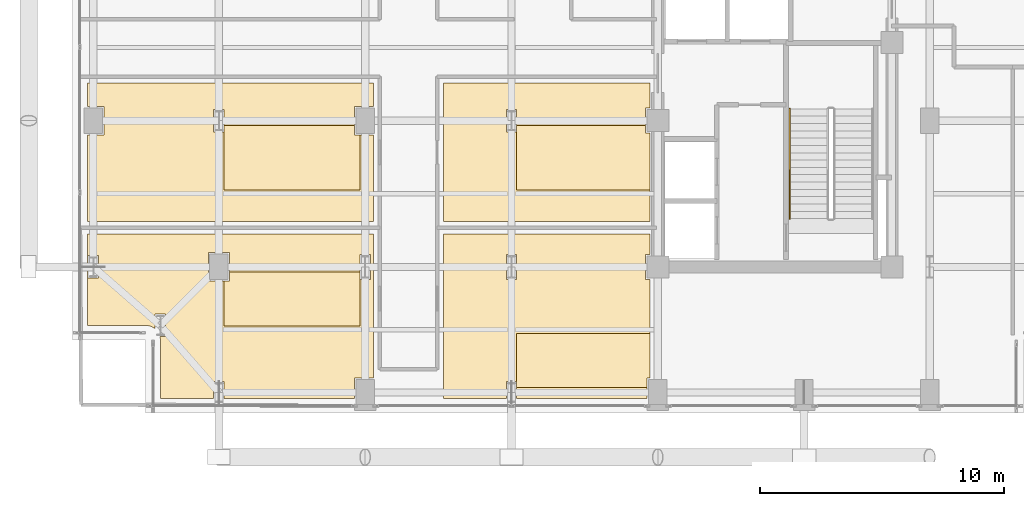
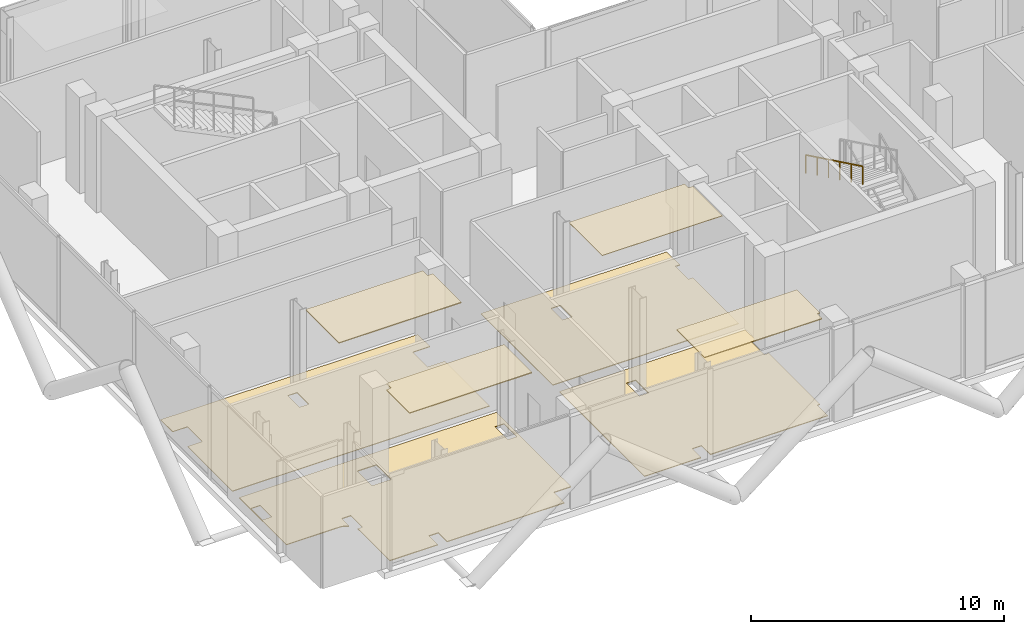
# One storey, part 17 of 19: 8 coverings, 1 railing.
"""IFC4 building model written with IfcOpenShell, lengths in metres."""

from ifc_helpers import new_model, si_unit, direction, frame, origin, origin_2d, place, context, subcontext, project, spatial, polyline, rectangle, outline, extrude, material, layer, layer_set, type_object, element, save


model = new_model("IFC4")

# Units and contexts
model_context = context("Model", 3, precision=1e-05, world=origin(), true_north=direction((0.0, 1.0)))
body_context = subcontext(model_context, "Body", "Model", "MODEL_VIEW")
ifc_project = project(units=[si_unit("LENGTHUNIT", "METRE"), si_unit("AREAUNIT", "SQUARE_METRE"), si_unit("VOLUMEUNIT", "CUBIC_METRE"), si_unit("PLANEANGLEUNIT", "RADIAN"), si_unit("MASSUNIT", "GRAM", prefix="KILO"), si_unit("THERMODYNAMICTEMPERATUREUNIT", "KELVIN"), si_unit("POWERUNIT", "WATT")], contexts=[model_context])

# Site, building, storey
site_placement = place(None, origin())
site = spatial("IfcSite", under=ifc_project, at=site_placement, CompositionType="ELEMENT")
building_placement = place(site_placement, origin())
building = spatial("IfcBuilding", under=site, at=building_placement, Name="Svarakhadi Broadcast Tower", CompositionType="ELEMENT")
storey_placement = place(building_placement, frame((0.0, 0.0, 204.0)))
storey = spatial("IfcBuildingStorey", under=building, at=storey_placement, Name="L50", CompositionType="ELEMENT", Elevation=204.0)

# Coverings
ifc_material_1 = material(Name="Anodised Bronze Aluminium Linear Acoustic Baffle", Category="aluminium")
ifc_layer_1 = layer(ifc_material_1, 0.044921875)
ifc_layer_set_1 = layer_set([ifc_layer_1], Name="Anodised Bronze Aluminium Linear Acoustic Baffle")
covering_type_1 = type_object("IfcCoveringType", Name="Cov_Ceiling_Baffle", PredefinedType="CEILING", material=ifc_layer_set_1)
covering_1_placement = place(storey_placement, frame((0.0, 0.0, 4.39501953125)))
element("IfcCovering", 1, at=covering_1_placement, inside=storey, type_object=covering_type_1, Name="L50 L50 Hydrotherapy Wellness and Vitality Spa Acoustic Ceiling", PredefinedType="CEILING", context=body_context, shape_type="SweptSolid", body=[
    extrude(outline(polyline([(6.2099609375, 3.81005859375), (6.2099609375, 5.4150390625), (6.43505859375, 5.4150390625), (6.43505859375, 5.7900390625), (11.7900390625, 5.7900390625), (11.7900390625, 5.489990234375), (11.7900390625, 3.574951171875), (6.2099609375, 3.574951171875), (6.2099609375, 3.81005859375)])), origin(), (0.0, 0.0, 1.0), 0.044921875),
])
covering_2_placement = place(storey_placement, frame((0.0, 0.0, 4.39501953125)))
element("IfcCovering", 2, at=covering_2_placement, inside=storey, type_object=covering_type_1, Name="L50 L50 Altitude Fitness Studio Acoustic Ceiling", PredefinedType="CEILING", context=body_context, shape_type="SweptSolid", body=[
    extrude(outline(polyline([(6.2099609375, 11.5400390625), (6.2099609375, 11.7900390625), (11.56494140625, 11.7900390625), (11.56494140625, 11.4150390625), (11.7900390625, 11.4150390625), (11.7900390625, 9.14990234375), (6.2099609375, 9.14990234375), (6.2099609375, 11.5400390625)])), origin(), (0.0, 0.0, 1.0), 0.044921875),
])
covering_3_placement = place(storey_placement, frame((0.0, 0.0, 4.39501953125)))
element("IfcCovering", 3, at=covering_3_placement, inside=storey, type_object=covering_type_1, Name="L50 L50 Poolside Bistro and Sunset Bar Acoustic Ceiling", PredefinedType="CEILING", context=body_context, shape_type="SweptSolid", body=[
    extrude(outline(polyline([(23.68994140625, 1.43505859375), (23.56494140625, 1.43505859375), (23.56494140625, 1.06005859375), (18.2099609375, 1.06005859375), (18.2099609375, 3.27490234375), (23.68994140625, 3.27490234375), (23.68994140625, 1.43505859375)])), origin(), (0.0, 0.0, 1.0), 0.044921875),
])
ifc_material_2 = material(Name="Micro-Perforated Mineral Fibre Acoustic Ceiling Tile", Category="mineral_fibre")
ifc_layer_2 = layer(ifc_material_2, 0.02490234375)
ifc_layer_set_2 = layer_set([ifc_layer_2], Name="Micro-Perforated Mineral Fibre Acoustic Ceiling Tile")
covering_type_2 = type_object("IfcCoveringType", Name="Cov_Ceiling_Tile", PredefinedType="CEILING", material=ifc_layer_set_2)
covering_4_placement = place(storey_placement, frame((0.0, 0.0, 4.4150390625)))
element("IfcCovering", 4, at=covering_4_placement, inside=storey, type_object=covering_type_2, Name="L50 L50 Aquatic Club Catering Kitchen Acoustic Ceiling", PredefinedType="CEILING", context=body_context, shape_type="SweptSolid", body=[
    extrude(outline(polyline([(23.68994140625, 9.14990234375), (18.2099609375, 9.14990234375), (18.2099609375, 11.7900390625), (23.489990234375, 11.7900390625), (23.489990234375, 11.489990234375), (23.68994140625, 11.489990234375), (23.68994140625, 9.14990234375)])), origin(), (0.0, 0.0, 1.0), 0.02490234375),
])
ifc_material_3 = material(Name="Honed Konkan Basalt Stone Tile Flooring", Category="masonry")
ifc_layer_3 = layer(ifc_material_3, 0.034912109375)
ifc_layer_set_3 = layer_set([ifc_layer_3], Name="Honed Konkan Basalt Stone Tile Flooring")
covering_type_3 = type_object("IfcCoveringType", Name="Cov_Floor_Basalt", PredefinedType="FLOORING", material=ifc_layer_set_3)
covering_5_placement = place(storey_placement, origin())
element("IfcCovering", 5, at=covering_5_placement, inside=storey, type_object=covering_type_3, Name="L50 L50 Hydrotherapy Wellness and Vitality Spa Floor Finish", PredefinedType="FLOORING", context=body_context, shape_type="SweptSolid", body=[
    extrude(outline(polyline([(12.340087890625, 1.43505859375), (11.56494140625, 1.43505859375), (11.56494140625, 0.610107421875), (6.2099609375, 0.610107421875), (6.2099609375, 1.31005859375), (5.7900390625, 1.31005859375), (5.7900390625, 0.610107421875), (3.60009765625, 0.610107421875), (3.60009765625, 3.0), (3.60009765625, 3.009033203125), (3.597900390625, 3.050048828125), (3.595947265625, 3.06689453125), (3.590087890625, 3.10791015625), (3.5869140625, 3.1259765625), (3.5830078125, 3.139892578125), (3.81005859375, 3.139892578125), (3.81005859375, 4.06005859375), (3.389892578125, 4.06005859375), (3.389892578125, 3.4560546875), (3.386962890625, 3.458984375), (3.3720703125, 3.470947265625), (3.339111328125, 3.4951171875), (3.325927734375, 3.5029296875), (3.291015625, 3.52392578125), (3.277099609375, 3.531982421875), (3.239990234375, 3.550048828125), (3.221923828125, 3.556884765625), (3.18310546875, 3.571044921875), (3.166015625, 3.576904296875), (3.1259765625, 3.5869140625), (3.10791015625, 3.590087890625), (3.06689453125, 3.595947265625), (3.050048828125, 3.597900390625), (3.009033203125, 3.60009765625), (3.0, 3.60009765625), (0.610107421875, 3.60009765625), (0.610107421875, 7.340087890625), (12.340087890625, 7.340087890625), (12.340087890625, 1.43505859375)]), holes=[polyline([(1.06005859375, 5.5400390625), (1.06005859375, 6.4599609375), (0.639892578125, 6.4599609375), (0.639892578125, 5.5400390625), (1.06005859375, 5.5400390625)]), polyline([(5.56494140625, 5.4150390625), (6.43505859375, 5.4150390625), (6.43505859375, 6.5849609375), (5.56494140625, 6.5849609375), (5.56494140625, 5.4150390625)]), polyline([(11.7900390625, 5.489990234375), (12.2099609375, 5.489990234375), (12.2099609375, 6.510009765625), (11.7900390625, 6.510009765625), (11.7900390625, 5.489990234375)])]), origin(), (0.0, 0.0, 1.0), 0.034912109375),
])
covering_6_placement = place(storey_placement, origin())
element("IfcCovering", 6, at=covering_6_placement, inside=storey, type_object=covering_type_3, Name="L50 L50 Poolside Bistro and Sunset Bar Floor Finish", PredefinedType="FLOORING", context=body_context, shape_type="SweptSolid", body=[
    extrude(outline(polyline([(23.68994140625, 7.340087890625), (23.68994140625, 6.510009765625), (23.489990234375, 6.510009765625), (23.489990234375, 5.489990234375), (23.68994140625, 5.489990234375), (23.68994140625, 1.43505859375), (23.56494140625, 1.43505859375), (23.56494140625, 0.610107421875), (18.2099609375, 0.610107421875), (18.2099609375, 1.31005859375), (17.7900390625, 1.31005859375), (17.7900390625, 0.610107421875), (15.2099609375, 0.610107421875), (15.2099609375, 7.340087890625), (23.68994140625, 7.340087890625)]), holes=[polyline([(18.2099609375, 5.489990234375), (18.2099609375, 6.510009765625), (17.7900390625, 6.510009765625), (17.7900390625, 5.489990234375), (18.2099609375, 5.489990234375)])]), origin(), (0.0, 0.0, 1.0), 0.034912109375),
])
covering_7_placement = place(storey_placement, origin())
element("IfcCovering", 7, at=covering_7_placement, inside=storey, type_object=covering_type_3, Name="L50 L50 Aquatic Club Catering Kitchen Floor Finish", PredefinedType="FLOORING", context=body_context, shape_type="SweptSolid", body=[
    extrude(outline(polyline([(23.68994140625, 13.5400390625), (23.68994140625, 12.510009765625), (23.489990234375, 12.510009765625), (23.489990234375, 11.489990234375), (23.68994140625, 11.489990234375), (23.68994140625, 7.860107421875), (15.2099609375, 7.860107421875), (15.2099609375, 13.5400390625), (23.68994140625, 13.5400390625)]), holes=[polyline([(17.7900390625, 11.5400390625), (18.2099609375, 11.5400390625), (18.2099609375, 12.4599609375), (17.7900390625, 12.4599609375), (17.7900390625, 11.5400390625)])]), origin(), (0.0, 0.0, 1.0), 0.034912109375),
])
ifc_material_4 = material(Name="Polished White Marble-Chip Terrazzo Flooring", Category="masonry")
ifc_layer_4 = layer(ifc_material_4, 0.030029296875)
ifc_layer_set_4 = layer_set([ifc_layer_4], Name="Polished White Marble-Chip Terrazzo Flooring")
covering_type_4 = type_object("IfcCoveringType", Name="Cov_Floor_Terrazzo", PredefinedType="FLOORING", material=ifc_layer_set_4)
covering_8_placement = place(storey_placement, origin())
element("IfcCovering", 8, at=covering_8_placement, inside=storey, type_object=covering_type_4, Name="L50 L50 Altitude Fitness Studio Floor Finish", PredefinedType="FLOORING", context=body_context, shape_type="SweptSolid", body=[
    extrude(outline(polyline([(12.340087890625, 13.5400390625), (12.340087890625, 12.5849609375), (11.56494140625, 12.5849609375), (11.56494140625, 11.4150390625), (12.340087890625, 11.4150390625), (12.340087890625, 7.860107421875), (0.610107421875, 7.860107421875), (0.610107421875, 11.4150390625), (1.284912109375, 11.4150390625), (1.284912109375, 12.5849609375), (0.610107421875, 12.5849609375), (0.610107421875, 13.5400390625), (12.340087890625, 13.5400390625)]), holes=[polyline([(6.2099609375, 11.5400390625), (6.2099609375, 12.4599609375), (5.7900390625, 12.4599609375), (5.7900390625, 11.5400390625), (6.2099609375, 11.5400390625)])]), origin(), (0.0, 0.0, 1.0), 0.030029296875),
])

# Railing
ifc_material_5 = material(Name="Anodised Bronze Aluminium AA 6063-T6", Category="aluminium")
railing_type = type_object("IfcRailingType", Name="Handrail_Stair_HR01", PredefinedType="HANDRAIL", material=ifc_material_5)
railing_placement = place(storey_placement, frame((29.409912109375, 12.47998046875, 2.47021484375)))
element("IfcRailing", 9, at=railing_placement, inside=storey, type_object=railing_type, Name="L50 ST-02 stair handrail 2", PredefinedType="HANDRAIL", context=body_context, shape_type="SweptSolid", body=[
    extrude(rectangle(XDim=0.048095703125, YDim=0.048095703125, at=origin_2d()), frame((0.0, 0.0, 0.8759765625), z_axis=(0.0, -0.899981323824, 0.435928453727), x_axis=(1.0, 0.0, 0.0)), (0.0, 0.0, 1.0), 5.0),
    extrude(rectangle(XDim=0.0419921875, YDim=0.0419921875, at=origin_2d()), origin(), (0.0, 0.0, 1.0), 0.851806640625),
    extrude(rectangle(XDim=0.0419921875, YDim=0.0419921875, at=origin_2d()), frame((0.0, -0.89990234375, 0.43603515625)), (0.0, 0.0, 1.0), 0.851806640625),
    extrude(rectangle(XDim=0.0419921875, YDim=0.0419921875, at=origin_2d()), frame((0.0, -1.800048828125, 0.871826171875)), (0.0, 0.0, 1.0), 0.851806640625),
    extrude(rectangle(XDim=0.0419921875, YDim=0.0419921875, at=origin_2d()), frame((0.0, -2.699951171875, 1.307861328125)), (0.0, 0.0, 1.0), 0.851806640625),
    extrude(rectangle(XDim=0.0419921875, YDim=0.0419921875, at=origin_2d()), frame((0.0, -3.60009765625, 1.74365234375)), (0.0, 0.0, 1.0), 0.851806640625),
    extrude(rectangle(XDim=0.0419921875, YDim=0.0419921875, at=origin_2d()), frame((0.0, -4.5, 2.1796875)), (0.0, 0.0, 1.0), 0.851806640625),
])

save(model, "model.ifc")
